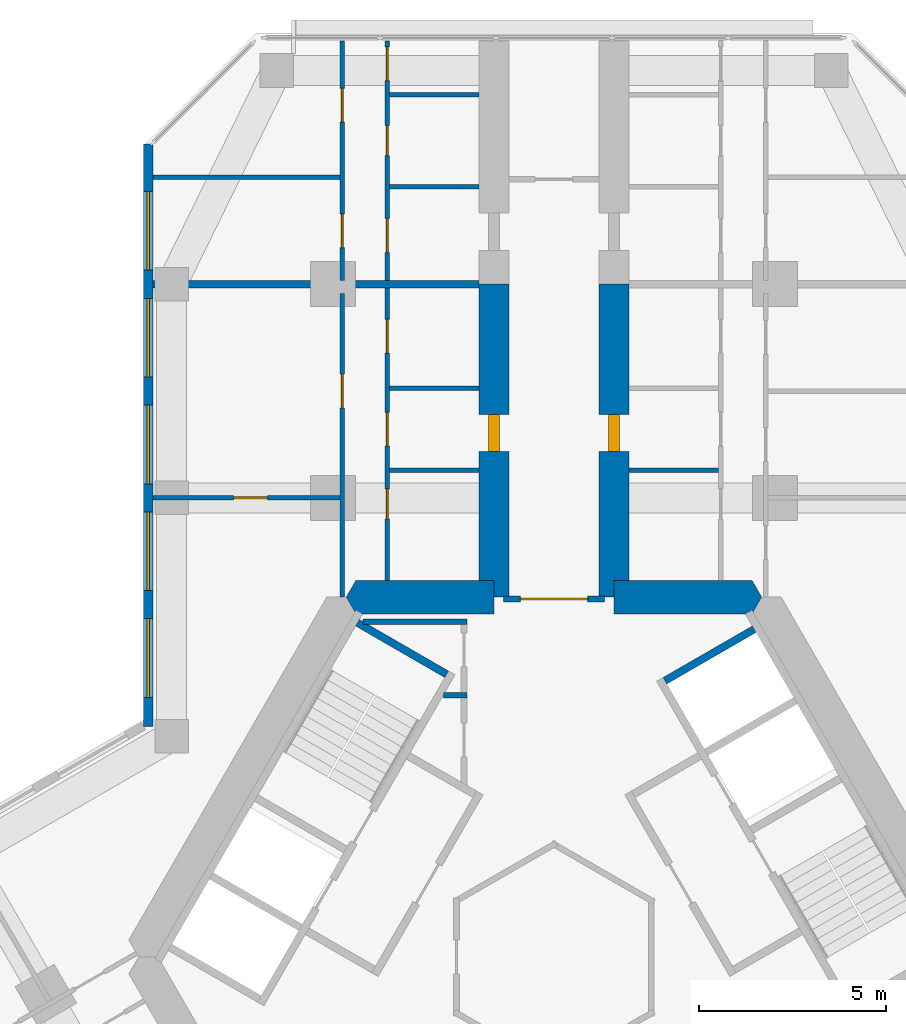
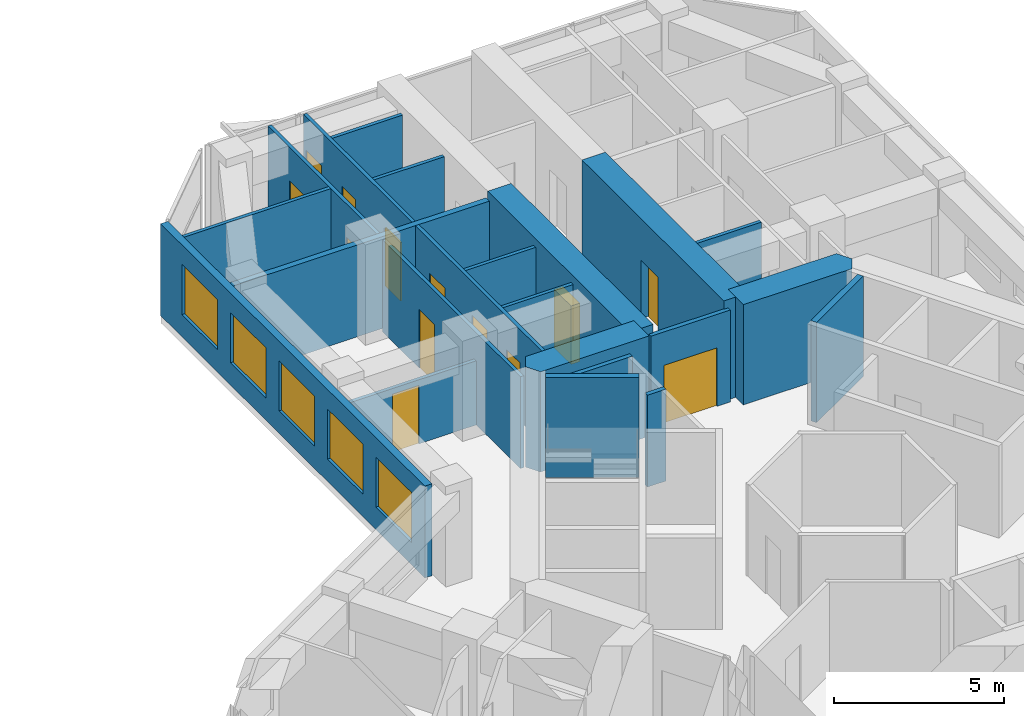
# One storey, part 17 of 20: 22 walls, 13 doors, 5 windows, 18 openings.
"""IFC4 building model written with IfcOpenShell, lengths in metres."""

import ifcopenshell
import ifcopenshell.guid

model = None  # the IFC model being written
_history = None  # IfcOwnerHistory: only IFC2X3 demands one
_inside = {}  # id of a spatial element -> (the spatial element, [elements in it])
_under = {}  # id of a project, library or spatial element -> (it, [spatial elements below it])
_declared = {}  # id of a project -> (the project, [libraries it declares])
_typed = {}  # id of a type object -> (the type object, [elements of that type])
_made_of = {}  # id of a material, layer set ... -> (it, [elements and type objects made of it])


def new_model(schema):
    """Start an empty IFC model of exactly this schema.

    Asked for "IFC4X3", IfcOpenShell would pick the latest addendum, in which some entities
    have other attributes; the version numbers below select the first issue.
    IFC2X3 requires an IfcOwnerHistory on every rooted entity: one is made here for all.
    """
    global model, _history
    if schema == "IFC4X3":
        model = ifcopenshell.file(schema_version=(4, 3, 0, 0))
    else:
        model = ifcopenshell.file(schema=schema)
    _inside.clear()
    _under.clear()
    _declared.clear()
    _typed.clear()
    _made_of.clear()
    _history = None
    if model.schema == "IFC2X3":
        org = make("IfcOrganization", Name="unknown")
        user = make(
            "IfcPersonAndOrganization",
            ThePerson=make("IfcPerson", FamilyName="unknown"),
            TheOrganization=org,
        )
        app = make(
            "IfcApplication",
            ApplicationDeveloper=org,
            Version="unknown",
            ApplicationFullName="unknown",
            ApplicationIdentifier="unknown",
        )
        _history = make(
            "IfcOwnerHistory",
            OwningUser=user,
            OwningApplication=app,
            ChangeAction="ADDED",
            CreationDate=0,
        )
    return model


def make(cls, **values):
    """One entity of the class cls with the attributes given. An attribute that is None is left unset."""
    return model.create_entity(
        cls, **{name: value for name, value in values.items() if value is not None}
    )


def rooted(cls, **values):
    """An entity with a GlobalId (a new one), such as an element, a storey or a relation."""
    return make(cls, GlobalId=ifcopenshell.guid.new(), OwnerHistory=_history, **values)


def si_unit(unit_type, name, prefix=None):
    """IfcSIUnit, for example si_unit("LENGTHUNIT", "METRE", prefix="MILLI")."""
    return make("IfcSIUnit", UnitType=unit_type, Prefix=prefix, Name=name)


def assignment(units):
    """IfcUnitAssignment: the units of a project."""
    return None if units is None else make("IfcUnitAssignment", Units=units)


def point(xyz):
    """IfcCartesianPoint."""
    return None if xyz is None else make("IfcCartesianPoint", Coordinates=xyz)


def direction(xyz):
    """IfcDirection."""
    return None if xyz is None else make("IfcDirection", DirectionRatios=xyz)


def frame(location, z_axis=None, x_axis=None):
    """IfcAxis2Placement3D, a coordinate frame: its origin and axes. An axis left out is left unset."""
    return make(
        "IfcAxis2Placement3D",
        Location=point(location),
        Axis=direction(z_axis),
        RefDirection=direction(x_axis),
    )


def frame_2d(location, x_axis=None):
    """IfcAxis2Placement2D, a coordinate frame in the plane: its origin and x axis."""
    return make(
        "IfcAxis2Placement2D", Location=point(location), RefDirection=direction(x_axis)
    )


def origin():
    """The frame at (0, 0, 0) with its axes left unset."""
    return frame((0.0, 0.0, 0.0))


def place(relative_to, where):
    """IfcLocalPlacement: puts the frame where relative to a parent placement (None: the world)."""
    return make(
        "IfcLocalPlacement", PlacementRelTo=relative_to, RelativePlacement=where
    )


def context(
    kind, dimensions, precision=None, world=None, true_north=None, identifier=None
):
    """IfcGeometricRepresentationContext, for example the 3D "Model" context."""
    return make(
        "IfcGeometricRepresentationContext",
        ContextIdentifier=identifier,
        ContextType=kind,
        CoordinateSpaceDimension=dimensions,
        Precision=precision,
        WorldCoordinateSystem=world,
        TrueNorth=true_north,
    )


def subcontext(parent, identifier, kind, view, scale=None):
    """IfcGeometricRepresentationSubContext, for example "Body" below "Model"."""
    return make(
        "IfcGeometricRepresentationSubContext",
        ContextIdentifier=identifier,
        ContextType=kind,
        ParentContext=parent,
        TargetScale=scale,
        TargetView=view,
    )


def project(units=None, contexts=None):
    """IfcProject with its units and contexts."""
    return rooted(
        "IfcProject",
        Name="project",
        RepresentationContexts=contexts,
        UnitsInContext=assignment(units),
    )


def spatial(cls, under=None, at=None, **own):
    """A site, building, storey or space (cls), placed at a placement, below another one or the project."""
    s = rooted(cls, ObjectPlacement=at, **own)
    if under is not None:
        _under.setdefault(under.id(), (under, []))[1].append(s)
    return s


def polyline(points):
    """IfcPolyline through the points."""
    return make("IfcPolyline", Points=[point(p) for p in points])


def profile(cls, at=None, kind="AREA", **sizes):
    """A parametric profile (cls). Its sizes go by their IFC names, for example OverallWidth=200.0."""
    return make(cls, ProfileType=kind, Position=at, **sizes)


def rectangle(**sizes):
    """IfcRectangleProfileDef."""
    return profile("IfcRectangleProfileDef", **sizes)


def outline(outer, holes=None, kind="AREA"):
    """IfcArbitraryClosedProfileDef: a profile drawn as a closed curve; with holes, ...WithVoids."""
    if holes is None:
        return make("IfcArbitraryClosedProfileDef", ProfileType=kind, OuterCurve=outer)
    return make(
        "IfcArbitraryProfileDefWithVoids",
        ProfileType=kind,
        OuterCurve=outer,
        InnerCurves=holes,
    )


def extrude(swept, where, along, depth):
    """IfcExtrudedAreaSolid: the profile swept, set in the frame where, extruded along a direction by depth."""
    return make(
        "IfcExtrudedAreaSolid",
        SweptArea=swept,
        Position=where,
        ExtrudedDirection=direction(along),
        Depth=depth,
    )


def shape(context_of_items, identifier, shape_type, items):
    """IfcShapeRepresentation: the items that make up one representation, for example the "Body"."""
    return make(
        "IfcShapeRepresentation",
        ContextOfItems=context_of_items,
        RepresentationIdentifier=identifier,
        RepresentationType=shape_type,
        Items=items,
    )


def material(Name=None, Category=None):
    """IfcMaterial."""
    return make("IfcMaterial", Name=Name, Category=Category)


def layer(
    of_material, thickness, ventilated=None, Name=None, Category=None, Priority=None
):
    """IfcMaterialLayer: one layer of a wall or slab, of a material (None: an air gap)."""
    return make(
        "IfcMaterialLayer",
        Material=of_material,
        LayerThickness=thickness,
        IsVentilated=ventilated,
        Name=Name,
        Category=Category,
        Priority=Priority,
    )


def layer_set(layers, Name=None):
    """IfcMaterialLayerSet."""
    return make("IfcMaterialLayerSet", MaterialLayers=layers, LayerSetName=Name)


def made_of(thing, what):
    """Note that an element or type object is made of a material, layer set ...; save() writes the relation."""
    if what is not None:
        _made_of.setdefault(what.id(), (what, []))[1].append(thing)
    return thing


def type_object(cls, material=None, **own):
    """A type object (cls), such as IfcWallType, which elements share."""
    return made_of(rooted(cls, **own), material)


def element(
    cls,
    number,
    at=None,
    inside=None,
    cuts=None,
    type_object=None,
    material=None,
    context=None,
    identifier="Body",
    shape_type=None,
    held_by="IfcProductDefinitionShape",
    body=None,
    shapes=None,
    **own,
):
    """One element of the class cls, such as IfcWall. Its Tag is "e" and its number.

    at: its placement. inside: the storey or other place that contains it. cuts: it is an
    opening in that element (IfcRelVoidsElement). A single representation is given by context,
    identifier, shape_type and body (its items); several are given by shapes. held_by: the class
    of the entity that holds the representations. save() writes the other relations.
    """
    e = rooted(cls, Tag="e%d" % number, ObjectPlacement=at, **own)
    if body is not None:
        shapes = [shape(context, identifier, shape_type, body)]
    if shapes is not None:
        e.Representation = make(held_by, Representations=shapes)
    if inside is not None:
        _inside.setdefault(inside.id(), (inside, []))[1].append(e)
    if cuts is not None:
        rooted(
            "IfcRelVoidsElement", RelatingBuildingElement=cuts, RelatedOpeningElement=e
        )
    if type_object is not None:
        _typed.setdefault(type_object.id(), (type_object, []))[1].append(e)
    return made_of(e, material)


def fill(opening, filler):
    """IfcRelFillsElement: the door or window that sits in an opening."""
    return rooted(
        "IfcRelFillsElement",
        RelatingOpeningElement=opening,
        RelatedBuildingElement=filler,
    )


def aggregate(whole, parts):
    """IfcRelAggregates: a whole, such as a stair, and the parts it consists of."""
    return rooted("IfcRelAggregates", RelatingObject=whole, RelatedObjects=parts)


def save(model, path):
    """Write the relations noted so far, then the file.

    IfcRelAggregates (storeys below a building ...), IfcRelContainedInSpatialStructure (elements
    in a storey), IfcRelDefinesByType, IfcRelAssociatesMaterial and IfcRelDeclares: one each for
    every whole, place, type object, material and project.
    """
    for whole, parts in _under.values():
        aggregate(whole, parts)
    for where, things in _inside.values():
        rooted(
            "IfcRelContainedInSpatialStructure",
            RelatedElements=things,
            RelatingStructure=where,
        )
    for kind, things in _typed.values():
        rooted("IfcRelDefinesByType", RelatedObjects=things, RelatingType=kind)
    for what, things in _made_of.values():
        rooted("IfcRelAssociatesMaterial", RelatedObjects=things, RelatingMaterial=what)
    for by, libraries in _declared.values():
        rooted("IfcRelDeclares", RelatingContext=by, RelatedDefinitions=libraries)
    model.write(path)


model = new_model("IFC4")

# Units and contexts
model_context = context("Model", 3, precision=1e-05, world=origin(), true_north=direction((0.0, 1.0)))
body_context = subcontext(model_context, "Body", "Model", "MODEL_VIEW")
ifc_project = project(units=[si_unit("LENGTHUNIT", "METRE"), si_unit("AREAUNIT", "SQUARE_METRE"), si_unit("VOLUMEUNIT", "CUBIC_METRE"), si_unit("PLANEANGLEUNIT", "RADIAN"), si_unit("MASSUNIT", "GRAM", prefix="KILO")], contexts=[model_context])

# Site, building, storey
site_placement = place(None, origin())
site = spatial("IfcSite", under=ifc_project, at=site_placement, CompositionType="ELEMENT")
building_placement = place(site_placement, origin())
building = spatial("IfcBuilding", under=site, at=building_placement, Name="Kosmar Iwan School Tower", CompositionType="ELEMENT")
storey_placement = place(building_placement, frame((0.0, 0.0, 183.199951171875)))
storey = spatial("IfcBuildingStorey", under=building, at=storey_placement, Name="L46", CompositionType="ELEMENT", Elevation=183.199951171875)

# Walls
ifc_material_1 = material(Name="Gypsum board on steel studs, fire-rated", Category="steel")
ifc_layer_1 = layer(ifc_material_1, 0.14990234375)
ifc_layer_set_1 = layer_set([ifc_layer_1], Name="Core room partition 150")
wall_type_1 = type_object("IfcWallType", Name="Core room partition 150", PredefinedType="PARTITIONING", material=ifc_layer_set_1)
wall_1_placement = place(storey_placement, frame((-2.324951171875, 6.985107421875, 0.0), z_axis=(0.0, 0.0, 1.0), x_axis=(-1.0, 0.0, 0.0)))
element("IfcWall", 1, at=wall_1_placement, inside=storey, type_object=wall_type_1, Name="Core room partition L46-CW2", PredefinedType="PARTITIONING", context=body_context, shape_type="SweptSolid", body=[
    extrude(rectangle(XDim=0.623779296875, YDim=0.14990234375, at=frame_2d((0.31201171875, 0.0))), origin(), (0.0, 0.0, 1.0), 3.300048828125),
])
wall_2_placement = place(storey_placement, frame((-5.089599609375, 8.93994140625, 0.0), z_axis=(0.0, 0.0, 1.0), x_axis=(1.0, 0.0, 0.0)))
element("IfcWall", 2, at=wall_2_placement, inside=storey, type_object=wall_type_1, Name="Core room partition L46-CW3", PredefinedType="PARTITIONING", context=body_context, shape_type="SweptSolid", body=[
    extrude(rectangle(XDim=2.7646484375, YDim=0.14990234375, at=frame_2d((1.38232421875, 0.0))), origin(), (0.0, 0.0, 1.0), 3.300048828125),
])
ifc_material_2 = material(Name="Concrete C50/60", Category="concrete")
ifc_layer_2 = layer(ifc_material_2, 0.89990234375)
ifc_layer_set_2 = layer_set([ifc_layer_2], Name="Core wall 900")
wall_type_2 = type_object("IfcWallType", Name="Core wall 900", PredefinedType="SHEAR", material=ifc_layer_set_2)
wall_3_placement = place(storey_placement, origin())
element("IfcWall", 3, at=wall_3_placement, inside=storey, type_object=wall_type_2, Name="Core wall F090a", PredefinedType="SHEAR", context=body_context, shape_type="SweptSolid", body=[
    extrude(outline(polyline([(1.60009765625, 9.14990234375), (5.28271484375, 9.14990234375), (5.54248046875, 9.60009765625), (5.28271484375, 10.050048828125), (1.60009765625, 10.050048828125), (1.60009765625, 9.14990234375)])), origin(), (0.0, 0.0, 1.0), 3.60009765625),
])
wall_4_placement = place(storey_placement, origin())
element("IfcWall", 4, at=wall_4_placement, inside=storey, type_object=wall_type_2, Name="Core wall F090b", PredefinedType="SHEAR", context=body_context, shape_type="SweptSolid", body=[
    extrude(outline(polyline([(-5.28271484375, 9.14990234375), (-1.60009765625, 9.14990234375), (-1.60009765625, 10.050048828125), (-5.28271484375, 10.050048828125), (-5.54248046875, 9.60009765625), (-5.28271484375, 9.14990234375)])), origin(), (0.0, 0.0, 1.0), 3.60009765625),
])

# Wall, opening, door
ifc_material_3 = material(Name="Concrete C50/60", Category="concrete")
ifc_layer_3 = layer(ifc_material_3, 0.800048828125)
ifc_layer_set_3 = layer_set([ifc_layer_3], Name="Corridor buttress wall 800")
wall_type_3 = type_object("IfcWallType", Name="Corridor buttress wall 800", PredefinedType="SHEAR", material=ifc_layer_set_3)
wall_5_placement = place(storey_placement, frame((-1.60009765625, 9.60009765625, 0.0), z_axis=(0.0, 0.0, 1.0), x_axis=(0.0, 1.0, 0.0)))
wall_5 = element("IfcWall", 5, at=wall_5_placement, inside=storey, type_object=wall_type_3, Name="Corridor wall AL", PredefinedType="SHEAR", context=body_context, shape_type="SweptSolid", body=[
    extrude(rectangle(XDim=8.349853515625, YDim=0.800048828125, at=frame_2d((4.1748046875, 0.0))), origin(), (0.0, 0.0, 1.0), 3.60009765625),
])
opening_1_placement = place(wall_5_placement, frame((3.8798828125, 0.0, 0.0)))
opening_1 = element("IfcOpeningElement", 6, at=opening_1_placement, cuts=wall_5, Name="Opening D1", PredefinedType="OPENING", context=body_context, shape_type="SweptSolid", body=[
    extrude(rectangle(XDim=1.0, YDim=2.10009765625, at=frame_2d((0.5, 1.050048828125))), frame((0.0, 0.412109375, 0.0), z_axis=(0.0, -1.0, 0.0), x_axis=(1.0, 0.0, 0.0)), (0.0, 0.0, 1.0), 0.823974609375),
])
ifc_material_4 = material(Name="Timber fire door in steel frame", Category="steel")
door_type_1 = type_object("IfcDoorType", Name="Flat entrance door 1000x2100", OperationType="SINGLE_SWING_LEFT", PredefinedType="DOOR", material=ifc_material_4)
door_1_placement = place(opening_1_placement, origin())
door_1 = element("IfcDoor", 7, at=door_1_placement, inside=storey, type_object=door_type_1, Name="Flat L46-AL1 entrance door", OperationType="SINGLE_SWING_LEFT", OverallHeight=2.10009765625, OverallWidth=1.0, PredefinedType="DOOR", context=body_context, shape_type="SweptSolid", body=[
    extrude(rectangle(XDim=1.0, YDim=2.10009765625, at=frame_2d((0.5, 1.050048828125))), frame((0.0, 0.14990234375, 0.0), z_axis=(0.0, -1.0, 0.0), x_axis=(1.0, 0.0, 0.0)), (0.0, 0.0, 1.0), 0.300048828125),
])
fill(opening_1, door_1)

wall_6_placement = place(storey_placement, frame((1.60009765625, 9.60009765625, 0.0), z_axis=(0.0, 0.0, 1.0), x_axis=(0.0, 1.0, 0.0)))
wall_6 = element("IfcWall", 8, at=wall_6_placement, inside=storey, type_object=wall_type_3, Name="Corridor wall AR", PredefinedType="SHEAR", context=body_context, shape_type="SweptSolid", body=[
    extrude(rectangle(XDim=8.349853515625, YDim=0.800048828125, at=frame_2d((4.1748046875, 0.0))), origin(), (0.0, 0.0, 1.0), 3.60009765625),
])
opening_2_placement = place(wall_6_placement, frame((3.8798828125, 0.0, 0.0)))
opening_2 = element("IfcOpeningElement", 9, at=opening_2_placement, cuts=wall_6, Name="Opening D1", PredefinedType="OPENING", context=body_context, shape_type="SweptSolid", body=[
    extrude(rectangle(XDim=1.0, YDim=2.10009765625, at=frame_2d((0.5, 1.050048828125))), frame((0.0, 0.412109375, 0.0), z_axis=(0.0, -1.0, 0.0), x_axis=(1.0, 0.0, 0.0)), (0.0, 0.0, 1.0), 0.823974609375),
])
door_2_placement = place(opening_2_placement, origin())
door_2 = element("IfcDoor", 10, at=door_2_placement, inside=storey, type_object=door_type_1, Name="Flat L46-AR1 entrance door", OperationType="SINGLE_SWING_RIGHT", OverallHeight=2.10009765625, OverallWidth=1.0, PredefinedType="DOOR", context=body_context, shape_type="SweptSolid", body=[
    extrude(rectangle(XDim=1.0, YDim=2.10009765625, at=frame_2d((0.5, 1.050048828125))), frame((0.0, 0.14990234375, 0.0), z_axis=(0.0, -1.0, 0.0), x_axis=(1.0, 0.0, 0.0)), (0.0, 0.0, 1.0), 0.300048828125),
])
fill(opening_2, door_2)

ifc_material_5 = material(Name="Steel framed glazed screen", Category="steel")
ifc_layer_4 = layer(ifc_material_5, 0.14990234375)
ifc_layer_set_4 = layer_set([ifc_layer_4], Name="Corridor screen wall 150")
wall_type_4 = type_object("IfcWallType", Name="Corridor screen wall 150", PredefinedType="PARTITIONING", material=ifc_layer_set_4)
wall_7_placement = place(storey_placement, frame((1.35009765625, 9.550048828125, 0.0), z_axis=(0.0, 0.0, 1.0), x_axis=(-1.0, 0.0, 0.0)))
wall_7 = element("IfcWall", 11, at=wall_7_placement, inside=storey, type_object=wall_type_4, Name="Corridor screen A L46", PredefinedType="PARTITIONING", context=body_context, shape_type="SweptSolid", body=[
    extrude(rectangle(XDim=2.7001953125, YDim=0.14990234375, at=frame_2d((1.35009765625, 0.0))), origin(), (0.0, 0.0, 1.0), 3.300048828125),
])
opening_3_placement = place(wall_7_placement, frame((0.449951171875, 0.0, 0.0)))
opening_3 = element("IfcOpeningElement", 12, at=opening_3_placement, cuts=wall_7, Name="Opening D9", PredefinedType="OPENING", context=body_context, shape_type="SweptSolid", body=[
    extrude(rectangle(XDim=1.800048828125, YDim=2.10009765625, at=frame_2d((0.89990234375, 1.050048828125))), frame((0.0, 0.0869140625, 0.0), z_axis=(0.0, -1.0, 0.0), x_axis=(1.0, 0.0, 0.0)), (0.0, 0.0, 1.0), 0.173828125),
])
ifc_material_6 = material(Name="Steel framed glazed smoke door", Category="steel")
door_type_2 = type_object("IfcDoorType", Name="Corridor smoke door pair 1800x2100", OperationType="DOUBLE_DOOR_DOUBLE_SWING", PredefinedType="DOOR", material=ifc_material_6)
door_3_placement = place(opening_3_placement, origin())
door_3 = element("IfcDoor", 13, at=door_3_placement, inside=storey, type_object=door_type_2, Name="Corridor doors A L46", OperationType="DOUBLE_DOOR_DOUBLE_SWING", OverallHeight=2.10009765625, OverallWidth=1.800048828125, PredefinedType="DOOR", context=body_context, shape_type="SweptSolid", body=[
    extrude(rectangle(XDim=1.800048828125, YDim=2.10009765625, at=frame_2d((0.89990234375, 1.050048828125))), frame((0.0, 0.02490234375, 0.0), z_axis=(0.0, -1.0, 0.0), x_axis=(1.0, 0.0, 0.0)), (0.0, 0.0, 1.0), 0.050048828125),
])
fill(opening_3, door_3)

# Wall, openings, doors
ifc_material_7 = material(Name="Gypsum board on steel studs", Category="steel")
ifc_layer_5 = layer(ifc_material_7, 0.1201171875)
ifc_layer_set_5 = layer_set([ifc_layer_5], Name="Dwelling partition 120")
wall_type_5 = type_object("IfcWallType", Name="Dwelling partition 120", PredefinedType="PARTITIONING", material=ifc_layer_set_5)
wall_8_placement = place(storey_placement, frame((-4.449951171875, 10.050048828125, 0.0), z_axis=(0.0, 0.0, 1.0), x_axis=(0.0, 1.0, 0.0)))
wall_8 = element("IfcWall", 14, at=wall_8_placement, inside=storey, type_object=wall_type_5, Name="Partition L46-AL1-W1", PredefinedType="PARTITIONING", context=body_context, shape_type="SweptSolid", body=[
    extrude(rectangle(XDim=7.800048828125, YDim=0.1201171875, at=frame_2d((3.89990234375, 0.0))), origin(), (0.0, 0.0, 1.0), 3.300048828125),
])
opening_4_placement = place(wall_8_placement, frame((1.639892578125, 0.0, 0.0)))
opening_4 = element("IfcOpeningElement", 15, at=opening_4_placement, cuts=wall_8, Name="Opening D3", PredefinedType="OPENING", context=body_context, shape_type="SweptSolid", body=[
    extrude(rectangle(XDim=0.800048828125, YDim=2.10009765625, at=frame_2d((0.39990234375, 1.050048828125))), frame((0.0, 0.072021484375, 0.0), z_axis=(0.0, -1.0, 0.0), x_axis=(1.0, 0.0, 0.0)), (0.0, 0.0, 1.0), 0.14404296875),
])
opening_5_placement = place(wall_8_placement, frame((3.580078125, 0.0, 0.0)))
opening_5 = element("IfcOpeningElement", 16, at=opening_5_placement, cuts=wall_8, Name="Opening D2", PredefinedType="OPENING", context=body_context, shape_type="SweptSolid", body=[
    extrude(rectangle(XDim=0.89990234375, YDim=2.10009765625, at=frame_2d((0.449951171875, 1.050048828125))), frame((0.0, 0.072021484375, 0.0), z_axis=(0.0, -1.0, 0.0), x_axis=(1.0, 0.0, 0.0)), (0.0, 0.0, 1.0), 0.14404296875),
])
opening_6_placement = place(wall_8_placement, frame((6.06494140625, 0.0, 0.0)))
opening_6 = element("IfcOpeningElement", 17, at=opening_6_placement, cuts=wall_8, Name="Opening D2", PredefinedType="OPENING", context=body_context, shape_type="SweptSolid", body=[
    extrude(rectangle(XDim=0.89990234375, YDim=2.10009765625, at=frame_2d((0.449951171875, 1.050048828125))), frame((0.0, 0.072021484375, 0.0), z_axis=(0.0, -1.0, 0.0), x_axis=(1.0, 0.0, 0.0)), (0.0, 0.0, 1.0), 0.14404296875),
])
ifc_material_8 = material(Name="Timber door in timber frame", Category="wood")
door_type_3 = type_object("IfcDoorType", Name="Internal door 900x2100", OperationType="SINGLE_SWING_LEFT", PredefinedType="DOOR", material=ifc_material_8)
door_4_placement = place(opening_5_placement, origin())
door_4 = element("IfcDoor", 18, at=door_4_placement, inside=storey, type_object=door_type_3, Name="Entrance hall door L46-AL1-S2", OperationType="SINGLE_SWING_RIGHT", OverallHeight=2.10009765625, OverallWidth=0.89990234375, PredefinedType="DOOR", context=body_context, shape_type="SweptSolid", body=[
    extrude(rectangle(XDim=0.89990234375, YDim=2.10009765625, at=frame_2d((0.449951171875, 1.050048828125))), frame((0.0, 0.02490234375, 0.0), z_axis=(0.0, -1.0, 0.0), x_axis=(1.0, 0.0, 0.0)), (0.0, 0.0, 1.0), 0.050048828125),
])
fill(opening_5, door_4)
door_5_placement = place(opening_6_placement, origin())
door_5 = element("IfcDoor", 19, at=door_5_placement, inside=storey, type_object=door_type_3, Name="Pantry door L46-AL1-S3", OperationType="SINGLE_SWING_RIGHT", OverallHeight=2.10009765625, OverallWidth=0.89990234375, PredefinedType="DOOR", context=body_context, shape_type="SweptSolid", body=[
    extrude(rectangle(XDim=0.89990234375, YDim=2.10009765625, at=frame_2d((0.449951171875, 1.050048828125))), frame((0.0, 0.02490234375, 0.0), z_axis=(0.0, -1.0, 0.0), x_axis=(1.0, 0.0, 0.0)), (0.0, 0.0, 1.0), 0.050048828125),
])
fill(opening_6, door_5)
ifc_material_9 = material(Name="Timber door in timber frame", Category="wood")
door_type_4 = type_object("IfcDoorType", Name="Sanitary room door 800x2100", OperationType="SINGLE_SWING_LEFT", PredefinedType="DOOR", material=ifc_material_9)
door_6_placement = place(opening_4_placement, origin())
door_6 = element("IfcDoor", 20, at=door_6_placement, inside=storey, type_object=door_type_4, Name="Bathroom door L46-AL1-S1", OperationType="SINGLE_SWING_LEFT", OverallHeight=2.10009765625, OverallWidth=0.800048828125, PredefinedType="DOOR", context=body_context, shape_type="SweptSolid", body=[
    extrude(rectangle(XDim=0.800048828125, YDim=2.10009765625, at=frame_2d((0.39990234375, 1.050048828125))), frame((0.0, 0.02490234375, 0.0), z_axis=(0.0, -1.0, 0.0), x_axis=(1.0, 0.0, 0.0)), (0.0, 0.0, 1.0), 0.050048828125),
])
fill(opening_4, door_6)

# Wall, opening, door
wall_9_placement = place(storey_placement, frame((-5.64990234375, 9.60009765625, 0.0), z_axis=(0.0, 0.0, 1.0), x_axis=(0.0, 1.0, 0.0)))
wall_9 = element("IfcWall", 21, at=wall_9_placement, inside=storey, type_object=wall_type_5, Name="Partition L46-AL1-W2", PredefinedType="PARTITIONING", context=body_context, shape_type="SweptSolid", body=[
    extrude(rectangle(XDim=8.099853515625, YDim=0.1201171875, at=frame_2d((4.0498046875, 0.0))), origin(), (0.0, 0.0, 1.0), 3.300048828125),
])
opening_7_placement = place(wall_9_placement, frame((5.050048828125, 0.0, 0.0)))
opening_7 = element("IfcOpeningElement", 22, at=opening_7_placement, cuts=wall_9, Name="Opening D2", PredefinedType="OPENING", context=body_context, shape_type="SweptSolid", body=[
    extrude(rectangle(XDim=0.89990234375, YDim=2.10009765625, at=frame_2d((0.449951171875, 1.050048828125))), frame((0.0, 0.072021484375, 0.0), z_axis=(0.0, -1.0, 0.0), x_axis=(1.0, 0.0, 0.0)), (0.0, 0.0, 1.0), 0.14404296875),
])
door_7_placement = place(opening_7_placement, origin())
door_7 = element("IfcDoor", 23, at=door_7_placement, inside=storey, type_object=door_type_3, Name="Studio living room door L46-AL1-F2", OperationType="SINGLE_SWING_RIGHT", OverallHeight=2.10009765625, OverallWidth=0.89990234375, PredefinedType="DOOR", context=body_context, shape_type="SweptSolid", body=[
    extrude(rectangle(XDim=0.89990234375, YDim=2.10009765625, at=frame_2d((0.449951171875, 1.050048828125))), frame((0.0, 0.02490234375, 0.0), z_axis=(0.0, -1.0, 0.0), x_axis=(1.0, 0.0, 0.0)), (0.0, 0.0, 1.0), 0.050048828125),
])
fill(opening_7, door_7)

wall_10_placement = place(storey_placement, frame((-5.7099609375, 12.25, 0.0), z_axis=(0.0, 0.0, 1.0), x_axis=(-1.0, 0.0, 0.0)))
wall_10 = element("IfcWall", 24, at=wall_10_placement, inside=storey, type_object=wall_type_5, Name="Partition L46-AL1-X1", PredefinedType="PARTITIONING", context=body_context, shape_type="SweptSolid", body=[
    extrude(rectangle(XDim=4.989990234375, YDim=0.1201171875, at=frame_2d((2.4951171875, 0.0))), origin(), (0.0, 0.0, 1.0), 2.300048828125),
])
opening_8_placement = place(wall_10_placement, frame((1.93994140625, 0.0, 0.0)))
opening_8 = element("IfcOpeningElement", 25, at=opening_8_placement, cuts=wall_10, Name="Opening D2", PredefinedType="OPENING", context=body_context, shape_type="SweptSolid", body=[
    extrude(rectangle(XDim=0.89990234375, YDim=2.10009765625, at=frame_2d((0.449951171875, 1.050048828125))), frame((0.0, 0.072021484375, 0.0), z_axis=(0.0, -1.0, 0.0), x_axis=(1.0, 0.0, 0.0)), (0.0, 0.0, 1.0), 0.14404296875),
])
door_8_placement = place(opening_8_placement, origin())
door_8 = element("IfcDoor", 26, at=door_8_placement, inside=storey, type_object=door_type_3, Name="Kitchen and dining room door L46-AL1-F1", OperationType="SINGLE_SWING_LEFT", OverallHeight=2.10009765625, OverallWidth=0.89990234375, PredefinedType="DOOR", context=body_context, shape_type="SweptSolid", body=[
    extrude(rectangle(XDim=0.89990234375, YDim=2.10009765625, at=frame_2d((0.449951171875, 1.050048828125))), frame((0.0, 0.02490234375, 0.0), z_axis=(0.0, -1.0, 0.0), x_axis=(1.0, 0.0, 0.0)), (0.0, 0.0, 1.0), 0.050048828125),
])
fill(opening_8, door_8)

# Walls
for number, where, z_axis, x_axis, name in (
    (27, (-2.0, 12.97998046875, 0.0), (0.0, 0.0, 1.0), (-1.0, 0.0, 0.0), "Partition L46-AL1-Y1"),
    (28, (-2.0, 15.179931640625, 0.0), (0.0, 0.0, 1.0), (-1.0, 0.0, 0.0), "Partition L46-AL1-Y2"),
):
    element("IfcWall", number, at=place(storey_placement, frame(where, z_axis=z_axis, x_axis=x_axis)), inside=storey, type_object=wall_type_5, Name=name, PredefinedType="PARTITIONING", context=body_context, shape_type="SweptSolid", body=[
        extrude(rectangle(XDim=2.389892578125, YDim=0.1201171875, at=frame_2d((1.19482421875, 0.0))), origin(), (0.0, 0.0, 1.0), 3.300048828125),
    ])

# Wall, openings, doors
wall_11_placement = place(storey_placement, frame((-4.449951171875, 18.050048828125, 0.0), z_axis=(0.0, 0.0, 1.0), x_axis=(0.0, 1.0, 0.0)))
wall_11 = element("IfcWall", 29, at=wall_11_placement, inside=storey, type_object=wall_type_5, Name="Partition L46-AL2-W1", PredefinedType="PARTITIONING", context=body_context, shape_type="SweptSolid", body=[
    extrude(rectangle(XDim=6.39501953125, YDim=0.1201171875, at=frame_2d((3.197509765625, 0.0))), origin(), (0.0, 0.0, 1.0), 3.300048828125),
])
opening_9_placement = place(wall_11_placement, frame((0.75, 0.0, 0.0)))
opening_9 = element("IfcOpeningElement", 30, at=opening_9_placement, cuts=wall_11, Name="Opening D2", PredefinedType="OPENING", context=body_context, shape_type="SweptSolid", body=[
    extrude(rectangle(XDim=0.89990234375, YDim=2.10009765625, at=frame_2d((0.449951171875, 1.050048828125))), frame((0.0, 0.072021484375, 0.0), z_axis=(0.0, -1.0, 0.0), x_axis=(1.0, 0.0, 0.0)), (0.0, 0.0, 1.0), 0.14404296875),
])
opening_10_placement = place(wall_11_placement, frame((3.330078125, 0.0, 0.0)))
opening_10 = element("IfcOpeningElement", 31, at=opening_10_placement, cuts=wall_11, Name="Opening D3", PredefinedType="OPENING", context=body_context, shape_type="SweptSolid", body=[
    extrude(rectangle(XDim=0.800048828125, YDim=2.10009765625, at=frame_2d((0.39990234375, 1.050048828125))), frame((0.0, 0.072021484375, 0.0), z_axis=(0.0, -1.0, 0.0), x_axis=(1.0, 0.0, 0.0)), (0.0, 0.0, 1.0), 0.14404296875),
])
opening_11_placement = place(wall_11_placement, frame((5.330078125, 0.0, 0.0)))
opening_11 = element("IfcOpeningElement", 32, at=opening_11_placement, cuts=wall_11, Name="Opening D2", PredefinedType="OPENING", context=body_context, shape_type="SweptSolid", body=[
    extrude(rectangle(XDim=0.89990234375, YDim=2.10009765625, at=frame_2d((0.449951171875, 1.050048828125))), frame((0.0, 0.072021484375, 0.0), z_axis=(0.0, -1.0, 0.0), x_axis=(1.0, 0.0, 0.0)), (0.0, 0.0, 1.0), 0.14404296875),
])
door_9_placement = place(opening_9_placement, origin())
door_9 = element("IfcDoor", 33, at=door_9_placement, inside=storey, type_object=door_type_3, Name="Entrance hall door L46-AL2-S1", OperationType="SINGLE_SWING_LEFT", OverallHeight=2.10009765625, OverallWidth=0.89990234375, PredefinedType="DOOR", context=body_context, shape_type="SweptSolid", body=[
    extrude(rectangle(XDim=0.89990234375, YDim=2.10009765625, at=frame_2d((0.449951171875, 1.050048828125))), frame((0.0, 0.02490234375, 0.0), z_axis=(0.0, -1.0, 0.0), x_axis=(1.0, 0.0, 0.0)), (0.0, 0.0, 1.0), 0.050048828125),
])
fill(opening_9, door_9)
door_10_placement = place(opening_11_placement, origin())
door_10 = element("IfcDoor", 34, at=door_10_placement, inside=storey, type_object=door_type_3, Name="Pantry door L46-AL2-S3", OperationType="SINGLE_SWING_RIGHT", OverallHeight=2.10009765625, OverallWidth=0.89990234375, PredefinedType="DOOR", context=body_context, shape_type="SweptSolid", body=[
    extrude(rectangle(XDim=0.89990234375, YDim=2.10009765625, at=frame_2d((0.449951171875, 1.050048828125))), frame((0.0, 0.02490234375, 0.0), z_axis=(0.0, -1.0, 0.0), x_axis=(1.0, 0.0, 0.0)), (0.0, 0.0, 1.0), 0.050048828125),
])
fill(opening_11, door_10)
door_11_placement = place(opening_10_placement, origin())
door_11 = element("IfcDoor", 35, at=door_11_placement, inside=storey, type_object=door_type_4, Name="Bathroom door L46-AL2-S2", OperationType="SINGLE_SWING_RIGHT", OverallHeight=2.10009765625, OverallWidth=0.800048828125, PredefinedType="DOOR", context=body_context, shape_type="SweptSolid", body=[
    extrude(rectangle(XDim=0.800048828125, YDim=2.10009765625, at=frame_2d((0.39990234375, 1.050048828125))), frame((0.0, 0.02490234375, 0.0), z_axis=(0.0, -1.0, 0.0), x_axis=(1.0, 0.0, 0.0)), (0.0, 0.0, 1.0), 0.050048828125),
])
fill(opening_10, door_11)

wall_12_placement = place(storey_placement, frame((-5.64990234375, 18.050048828125, 0.0), z_axis=(0.0, 0.0, 1.0), x_axis=(0.0, 1.0, 0.0)))
wall_12 = element("IfcWall", 36, at=wall_12_placement, inside=storey, type_object=wall_type_5, Name="Partition L46-AL2-W2", PredefinedType="PARTITIONING", context=body_context, shape_type="SweptSolid", body=[
    extrude(rectangle(XDim=6.39501953125, YDim=0.1201171875, at=frame_2d((3.197509765625, 0.0))), origin(), (0.0, 0.0, 1.0), 3.300048828125),
])
opening_12_placement = place(wall_12_placement, frame((0.875, 0.0, 0.0)))
opening_12 = element("IfcOpeningElement", 37, at=opening_12_placement, cuts=wall_12, Name="Opening D2", PredefinedType="OPENING", context=body_context, shape_type="SweptSolid", body=[
    extrude(rectangle(XDim=0.89990234375, YDim=2.10009765625, at=frame_2d((0.449951171875, 1.050048828125))), frame((0.0, 0.072021484375, 0.0), z_axis=(0.0, -1.0, 0.0), x_axis=(1.0, 0.0, 0.0)), (0.0, 0.0, 1.0), 0.14404296875),
])
opening_13_placement = place(wall_12_placement, frame((4.22509765625, 0.0, 0.0)))
opening_13 = element("IfcOpeningElement", 38, at=opening_13_placement, cuts=wall_12, Name="Opening D2", PredefinedType="OPENING", context=body_context, shape_type="SweptSolid", body=[
    extrude(rectangle(XDim=0.89990234375, YDim=2.10009765625, at=frame_2d((0.449951171875, 1.050048828125))), frame((0.0, 0.072021484375, 0.0), z_axis=(0.0, -1.0, 0.0), x_axis=(1.0, 0.0, 0.0)), (0.0, 0.0, 1.0), 0.14404296875),
])
door_12_placement = place(opening_12_placement, origin())
door_12 = element("IfcDoor", 39, at=door_12_placement, inside=storey, type_object=door_type_3, Name="Family room and kitchen door L46-AL2-F1", OperationType="SINGLE_SWING_RIGHT", OverallHeight=2.10009765625, OverallWidth=0.89990234375, PredefinedType="DOOR", context=body_context, shape_type="SweptSolid", body=[
    extrude(rectangle(XDim=0.89990234375, YDim=2.10009765625, at=frame_2d((0.449951171875, 1.050048828125))), frame((0.0, 0.02490234375, 0.0), z_axis=(0.0, -1.0, 0.0), x_axis=(1.0, 0.0, 0.0)), (0.0, 0.0, 1.0), 0.050048828125),
])
fill(opening_12, door_12)
door_13_placement = place(opening_13_placement, origin())
door_13 = element("IfcDoor", 40, at=door_13_placement, inside=storey, type_object=door_type_3, Name="Bedroom 1 door L46-AL2-F2", OperationType="SINGLE_SWING_RIGHT", OverallHeight=2.10009765625, OverallWidth=0.89990234375, PredefinedType="DOOR", context=body_context, shape_type="SweptSolid", body=[
    extrude(rectangle(XDim=0.89990234375, YDim=2.10009765625, at=frame_2d((0.449951171875, 1.050048828125))), frame((0.0, 0.02490234375, 0.0), z_axis=(0.0, -1.0, 0.0), x_axis=(1.0, 0.0, 0.0)), (0.0, 0.0, 1.0), 0.050048828125),
])
fill(opening_13, door_13)

# Walls
wall_13_placement = place(storey_placement, frame((-5.7099609375, 20.800048828125, 0.0), z_axis=(0.0, 0.0, 1.0), x_axis=(-1.0, 0.0, 0.0)))
element("IfcWall", 41, at=wall_13_placement, inside=storey, type_object=wall_type_5, Name="Partition L46-AL2-X1", PredefinedType="PARTITIONING", context=body_context, shape_type="SweptSolid", body=[
    extrude(rectangle(XDim=4.989990234375, YDim=0.1201171875, at=frame_2d((2.4951171875, 0.0))), origin(), (0.0, 0.0, 1.0), 3.300048828125),
])
for number, where, z_axis, x_axis, name in (
    (42, (-2.0, 20.550048828125, 0.0), (0.0, 0.0, 1.0), (-1.0, 0.0, 0.0), "Partition L46-AL2-Y1"),
    (43, (-2.0, 23.010009765625, 0.0), (0.0, 0.0, 1.0), (-1.0, 0.0, 0.0), "Partition L46-AL2-Y2"),
    (44, (2.0, 12.97998046875, 0.0), (0.0, 0.0, 1.0), (1.0, 0.0, 0.0), "Partition L46-AR1-Y1"),
):
    element("IfcWall", number, at=place(storey_placement, frame(where, z_axis=z_axis, x_axis=x_axis)), inside=storey, type_object=wall_type_5, Name=name, PredefinedType="PARTITIONING", context=body_context, shape_type="SweptSolid", body=[
        extrude(rectangle(XDim=2.389892578125, YDim=0.1201171875, at=frame_2d((1.19482421875, 0.0))), origin(), (0.0, 0.0, 1.0), 3.300048828125),
    ])

# Wall, openings, windows
ifc_material_10 = material(Name="Black aluminium rainscreen on insulated framing", Category="aluminium")
ifc_layer_6 = layer(ifc_material_10, 0.25)
ifc_layer_set_6 = layer_set([ifc_layer_6], Name="External wall rainscreen 250")
wall_type_6 = type_object("IfcWallType", Name="External wall rainscreen 250", PredefinedType="SOLIDWALL", material=ifc_layer_set_6)
wall_14_placement = place(storey_placement, frame((-10.824951171875, 6.14794921875, 0.0), z_axis=(0.0, 0.0, 1.0), x_axis=(0.0, 1.0, 0.0)))
wall_14 = element("IfcWall", 45, at=wall_14_placement, inside=storey, type_object=wall_type_6, Name="External wall AL L46", PredefinedType="SOLIDWALL", context=body_context, shape_type="SweptSolid", body=[
    extrude(rectangle(XDim=15.537353515625, YDim=0.25, at=frame_2d((7.7685546875, 0.0))), origin(), (0.0, 0.0, 1.0), 3.300048828125),
])
opening_14_placement = place(wall_14_placement, frame((0.777099609375, 0.0, 0.800048828125)))
opening_14 = element("IfcOpeningElement", 46, at=opening_14_placement, cuts=wall_14, Name="Opening W4", PredefinedType="OPENING", context=body_context, shape_type="SweptSolid", body=[
    extrude(rectangle(XDim=2.10009765625, YDim=1.800048828125, at=frame_2d((1.050048828125, 0.89990234375))), frame((0.0, 0.136962890625, 0.0), z_axis=(0.0, -1.0, 0.0), x_axis=(1.0, 0.0, 0.0)), (0.0, 0.0, 1.0), 0.27392578125),
])
opening_15_placement = place(wall_14_placement, frame((3.626953125, 0.0, 0.800048828125)))
opening_15 = element("IfcOpeningElement", 47, at=opening_15_placement, cuts=wall_14, Name="Opening W4", PredefinedType="OPENING", context=body_context, shape_type="SweptSolid", body=[
    extrude(rectangle(XDim=2.10009765625, YDim=1.800048828125, at=frame_2d((1.050048828125, 0.89990234375))), frame((0.0, 0.136962890625, 0.0), z_axis=(0.0, -1.0, 0.0), x_axis=(1.0, 0.0, 0.0)), (0.0, 0.0, 1.0), 0.27392578125),
])
opening_16_placement = place(wall_14_placement, frame((6.47705078125, 0.0, 0.800048828125)))
opening_16 = element("IfcOpeningElement", 48, at=opening_16_placement, cuts=wall_14, Name="Opening W4", PredefinedType="OPENING", context=body_context, shape_type="SweptSolid", body=[
    extrude(rectangle(XDim=2.10009765625, YDim=1.800048828125, at=frame_2d((1.050048828125, 0.89990234375))), frame((0.0, 0.136962890625, 0.0), z_axis=(0.0, -1.0, 0.0), x_axis=(1.0, 0.0, 0.0)), (0.0, 0.0, 1.0), 0.27392578125),
])
opening_17_placement = place(wall_14_placement, frame((9.326904296875, 0.0, 0.800048828125)))
opening_17 = element("IfcOpeningElement", 49, at=opening_17_placement, cuts=wall_14, Name="Opening W4", PredefinedType="OPENING", context=body_context, shape_type="SweptSolid", body=[
    extrude(rectangle(XDim=2.10009765625, YDim=1.800048828125, at=frame_2d((1.050048828125, 0.89990234375))), frame((0.0, 0.136962890625, 0.0), z_axis=(0.0, -1.0, 0.0), x_axis=(1.0, 0.0, 0.0)), (0.0, 0.0, 1.0), 0.27392578125),
])
opening_18_placement = place(wall_14_placement, frame((12.177001953125, 0.0, 0.800048828125)))
opening_18 = element("IfcOpeningElement", 50, at=opening_18_placement, cuts=wall_14, Name="Opening W4", PredefinedType="OPENING", context=body_context, shape_type="SweptSolid", body=[
    extrude(rectangle(XDim=2.10009765625, YDim=1.800048828125, at=frame_2d((1.050048828125, 0.89990234375))), frame((0.0, 0.136962890625, 0.0), z_axis=(0.0, -1.0, 0.0), x_axis=(1.0, 0.0, 0.0)), (0.0, 0.0, 1.0), 0.27392578125),
])
ifc_material_11 = material(Name="Black aluminium frame with dark triple glazing", Category="aluminium")
window_type = type_object("IfcWindowType", Name="Window 2100x1800", PartitioningType="SINGLE_PANEL", PredefinedType="WINDOW", material=ifc_material_11)
window_1_placement = place(opening_14_placement, origin())
window_1 = element("IfcWindow", 51, at=window_1_placement, inside=storey, type_object=window_type, Name="Window AL L46 -1", OverallHeight=1.800048828125, OverallWidth=2.10009765625, PartitioningType="SINGLE_PANEL", PredefinedType="WINDOW", context=body_context, shape_type="SweptSolid", body=[
    extrude(rectangle(XDim=2.10009765625, YDim=1.800048828125, at=frame_2d((1.050048828125, 0.89990234375))), frame((0.0, 0.030029296875, 0.0), z_axis=(0.0, -1.0, 0.0), x_axis=(1.0, 0.0, 0.0)), (0.0, 0.0, 1.0), 0.06005859375),
])
fill(opening_14, window_1)
window_2_placement = place(opening_15_placement, origin())
window_2 = element("IfcWindow", 52, at=window_2_placement, inside=storey, type_object=window_type, Name="Window AL L46 0", OverallHeight=1.800048828125, OverallWidth=2.10009765625, PartitioningType="SINGLE_PANEL", PredefinedType="WINDOW", context=body_context, shape_type="SweptSolid", body=[
    extrude(rectangle(XDim=2.10009765625, YDim=1.800048828125, at=frame_2d((1.050048828125, 0.89990234375))), frame((0.0, 0.030029296875, 0.0), z_axis=(0.0, -1.0, 0.0), x_axis=(1.0, 0.0, 0.0)), (0.0, 0.0, 1.0), 0.06005859375),
])
fill(opening_15, window_2)
window_3_placement = place(opening_16_placement, origin())
window_3 = element("IfcWindow", 53, at=window_3_placement, inside=storey, type_object=window_type, Name="Window AL L46 1", OverallHeight=1.800048828125, OverallWidth=2.10009765625, PartitioningType="SINGLE_PANEL", PredefinedType="WINDOW", context=body_context, shape_type="SweptSolid", body=[
    extrude(rectangle(XDim=2.10009765625, YDim=1.800048828125, at=frame_2d((1.050048828125, 0.89990234375))), frame((0.0, 0.030029296875, 0.0), z_axis=(0.0, -1.0, 0.0), x_axis=(1.0, 0.0, 0.0)), (0.0, 0.0, 1.0), 0.06005859375),
])
fill(opening_16, window_3)
window_4_placement = place(opening_17_placement, origin())
window_4 = element("IfcWindow", 54, at=window_4_placement, inside=storey, type_object=window_type, Name="Window AL L46 2", OverallHeight=1.800048828125, OverallWidth=2.10009765625, PartitioningType="SINGLE_PANEL", PredefinedType="WINDOW", context=body_context, shape_type="SweptSolid", body=[
    extrude(rectangle(XDim=2.10009765625, YDim=1.800048828125, at=frame_2d((1.050048828125, 0.89990234375))), frame((0.0, 0.030029296875, 0.0), z_axis=(0.0, -1.0, 0.0), x_axis=(1.0, 0.0, 0.0)), (0.0, 0.0, 1.0), 0.06005859375),
])
fill(opening_17, window_4)
window_5_placement = place(opening_18_placement, origin())
window_5 = element("IfcWindow", 55, at=window_5_placement, inside=storey, type_object=window_type, Name="Window AL L46 3", OverallHeight=1.800048828125, OverallWidth=2.10009765625, PartitioningType="SINGLE_PANEL", PredefinedType="WINDOW", context=body_context, shape_type="SweptSolid", body=[
    extrude(rectangle(XDim=2.10009765625, YDim=1.800048828125, at=frame_2d((1.050048828125, 0.89990234375))), frame((0.0, 0.030029296875, 0.0), z_axis=(0.0, -1.0, 0.0), x_axis=(1.0, 0.0, 0.0)), (0.0, 0.0, 1.0), 0.06005859375),
])
fill(opening_18, window_5)

# Walls
ifc_material_12 = material(Name="Concrete C50/60", Category="concrete")
ifc_layer_7 = layer(ifc_material_12, 0.199951171875)
ifc_layer_set_7 = layer_set([ifc_layer_7], Name="Lift shaft wall 200")
wall_type_7 = type_object("IfcWallType", Name="Lift shaft wall 200", PredefinedType="SHEAR", material=ifc_layer_set_7)
wall_15_placement = place(storey_placement, frame((2.962646484375, 7.368408203125, 0.0), z_axis=(0.0, 0.0, 1.0), x_axis=(0.866027397988, 0.499996545922, 0.0)))
element("IfcWall", 56, at=wall_15_placement, inside=storey, type_object=wall_type_7, Name="Lift shaft wall AC 2", PredefinedType="SHEAR", context=body_context, shape_type="SweptSolid", body=[
    extrude(rectangle(XDim=2.75, YDim=0.199951171875, at=frame_2d((1.375, 0.0))), origin(), (0.0, 0.0, 1.0), 3.60009765625),
])
ifc_material_13 = material(Name="Concrete block masonry", Category="masonry")
ifc_layer_8 = layer(ifc_material_13, 0.199951171875)
ifc_layer_set_8 = layer_set([ifc_layer_8], Name="Party wall 200")
wall_type_8 = type_object("IfcWallType", Name="Party wall 200", PredefinedType="PARTITIONING", material=ifc_layer_set_8)
wall_16_placement = place(storey_placement, frame((-2.0, 17.949951171875, 0.0), z_axis=(0.0, 0.0, 1.0), x_axis=(-1.0, 0.0, 0.0)))
element("IfcWall", 57, at=wall_16_placement, inside=storey, type_object=wall_type_8, Name="Partition L46-AL2-PW", PredefinedType="PARTITIONING", context=body_context, shape_type="SweptSolid", body=[
    extrude(rectangle(XDim=8.699951171875, YDim=0.199951171875, at=frame_2d((4.35009765625, 0.0))), origin(), (0.0, 0.0, 1.0), 3.300048828125),
])
ifc_material_14 = material(Name="Concrete C50/60", Category="concrete")
ifc_layer_9 = layer(ifc_material_14, 0.199951171875)
ifc_layer_set_9 = layer_set([ifc_layer_9], Name="Stair enclosure wall 200")
wall_type_9 = type_object("IfcWallType", Name="Stair enclosure wall 200", PredefinedType="SHEAR", material=ifc_layer_set_9)
wall_17_placement = place(storey_placement, frame((-2.862548828125, 7.541748046875, 0.0), z_axis=(0.0, 0.0, 1.0), x_axis=(-0.866027397988, 0.499996545922, 0.0)))
element("IfcWall", 58, at=wall_17_placement, inside=storey, type_object=wall_type_9, Name="Stair ST2 wall", PredefinedType="SHEAR", context=body_context, shape_type="SweptSolid", body=[
    extrude(rectangle(XDim=2.75, YDim=0.199951171875, at=frame_2d((1.375, 0.0))), origin(), (0.0, 0.0, 1.0), 3.60009765625),
])

save(model, "model.ifc")
